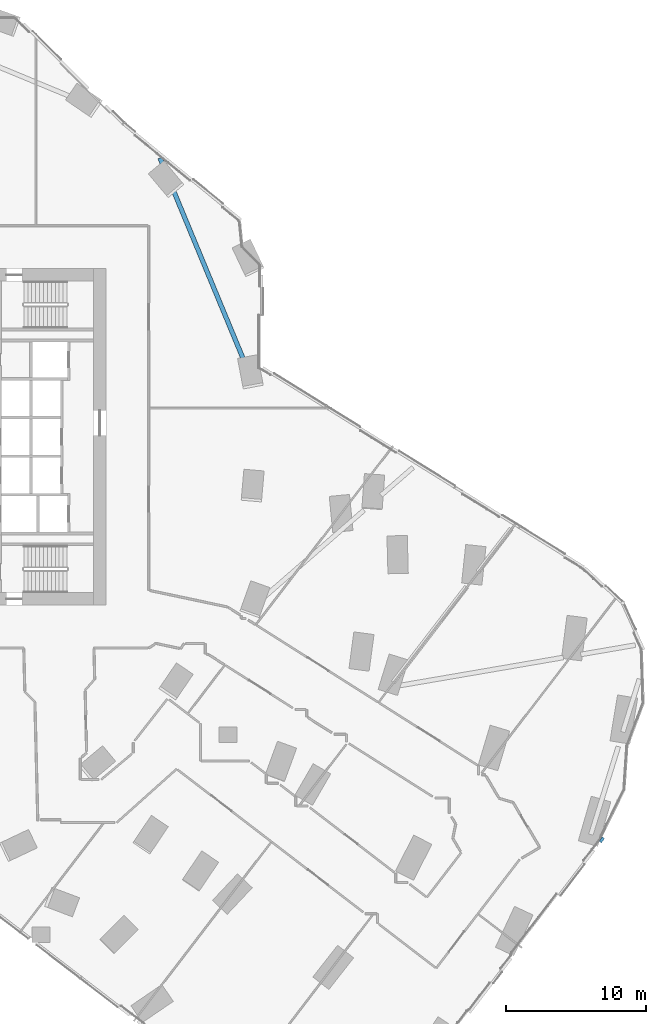
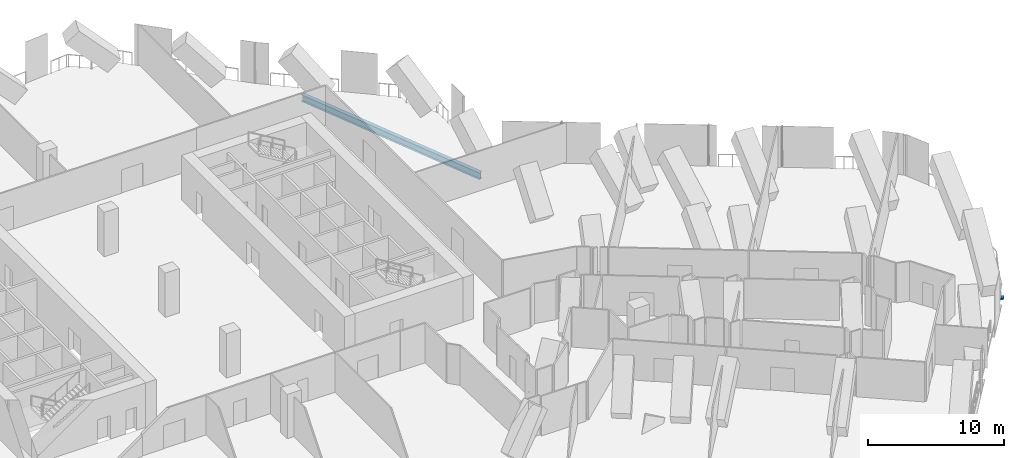
# One storey, part 15 of 32: 1 beam, 1 member, 1 element without a shape of its own.
"""IFC4 building model written with IfcOpenShell, lengths in metres."""

from ifc_helpers import new_model, si_unit, direction, frame, origin, origin_2d, place, context, subcontext, project, spatial, rectangle, i_section, extrude, material, material_profile, profile_set, type_object, element, aggregate, save


model = new_model("IFC4")

# Units and contexts
model_context = context("Model", 3, precision=1e-05, world=origin(), true_north=direction((0.0, 1.0)))
body_context = subcontext(model_context, "Body", "Model", "MODEL_VIEW")
ifc_project = project(units=[si_unit("LENGTHUNIT", "METRE"), si_unit("AREAUNIT", "SQUARE_METRE"), si_unit("VOLUMEUNIT", "CUBIC_METRE"), si_unit("PLANEANGLEUNIT", "RADIAN"), si_unit("MASSUNIT", "GRAM", prefix="KILO")], contexts=[model_context])

# Site, building, storey
site_placement = place(None, origin())
site = spatial("IfcSite", under=ifc_project, at=site_placement, CompositionType="ELEMENT")
building_placement = place(site_placement, origin())
building = spatial("IfcBuilding", under=site, at=building_placement, Name="Orlundy Tower", CompositionType="ELEMENT")
storey_placement = place(building_placement, frame((0.0, 0.0, 33.300048828125)))
storey = spatial("IfcBuildingStorey", under=building, at=storey_placement, Name="L06", CompositionType="ELEMENT", Elevation=33.300048828125)

# Beam
ifc_material_1 = material(Name="Steel ASTM A992 Gr 50", Category="steel")
ifc_material_profile_1 = material_profile(ifc_material_1, i_section(OverallWidth=0.32373046875, OverallDepth=0.611083984375, WebThickness=0.0126953125, FlangeThickness=0.01904296875, at=origin_2d()), Name="W24X104")
ifc_profile_set_1 = profile_set([ifc_material_profile_1], Name="Steel ASTM A992 Gr 50")
beam_type = type_object("IfcBeamType", Name="CANTILEVER GIRDER beam W24X104", PredefinedType="BEAM", material=ifc_profile_set_1)
beam_placement = place(storey_placement, frame((22.84619140625, 19.880859375, -0.7255859375), z_axis=(0.382698457542, -0.923873308736, 0.0), x_axis=(0.923873308736, 0.382698457542, 0.0)))
element("IfcBeam", 1, at=beam_placement, inside=storey, type_object=beam_type, Name="Cantilever girder C-H24 L06", PredefinedType="BEAM", context=body_context, shape_type="SweptSolid", body=[
    extrude(i_section(OverallWidth=0.32373046875, OverallDepth=0.611083984375, WebThickness=0.0126953125, FlangeThickness=0.01904296875, at=origin_2d()), origin(), (0.0, 0.0, 1.0), 16.5654296875),
])

# Curtain wall, member
ifc_material_2 = material(Name="Aluminium bronze anodised", Category="aluminium")
curtain_wall_type = type_object("IfcCurtainWallType", Name="CW5 wall", PredefinedType="NOTDEFINED", material=ifc_material_2)
curtain_wall_placement = place(storey_placement, origin())
curtain_wall = element("IfcCurtainWall", 2, at=curtain_wall_placement, inside=storey, type_object=curtain_wall_type, Name="CW5 run 022", PredefinedType="NOTDEFINED")
ifc_material_3 = material(Name="Aluminium bronze anodised", Category="aluminium")
ifc_material_profile_2 = material_profile(ifc_material_3, rectangle(XDim=0.199951171875, YDim=0.139892578125, at=origin_2d()), Name="CW5 transom 200x140")
ifc_profile_set_2 = profile_set([ifc_material_profile_2], Name="Aluminium bronze anodised")
member_type = type_object("IfcMemberType", Name="CW5 transom 200x140", PredefinedType="USERDEFINED", material=ifc_profile_set_2)
member_placement = place(storey_placement, frame((54.4599609375, -28.572998046875, -0.35009765625), z_axis=(-0.608538670016, -0.793524219602, 0.0), x_axis=(0.793524219602, -0.608538670016, 0.0)))
member = element("IfcMember", 3, at=member_placement, type_object=member_type, Name="CW5 transom", ObjectType="TRANSOM", PredefinedType="USERDEFINED", context=body_context, shape_type="SweptSolid", body=[
    extrude(rectangle(XDim=0.199951171875, YDim=0.139892578125, at=origin_2d()), origin(), (0.0, 0.0, 1.0), 0.3828125),
])
aggregate(curtain_wall, [member])

save(model, "model.ifc")
